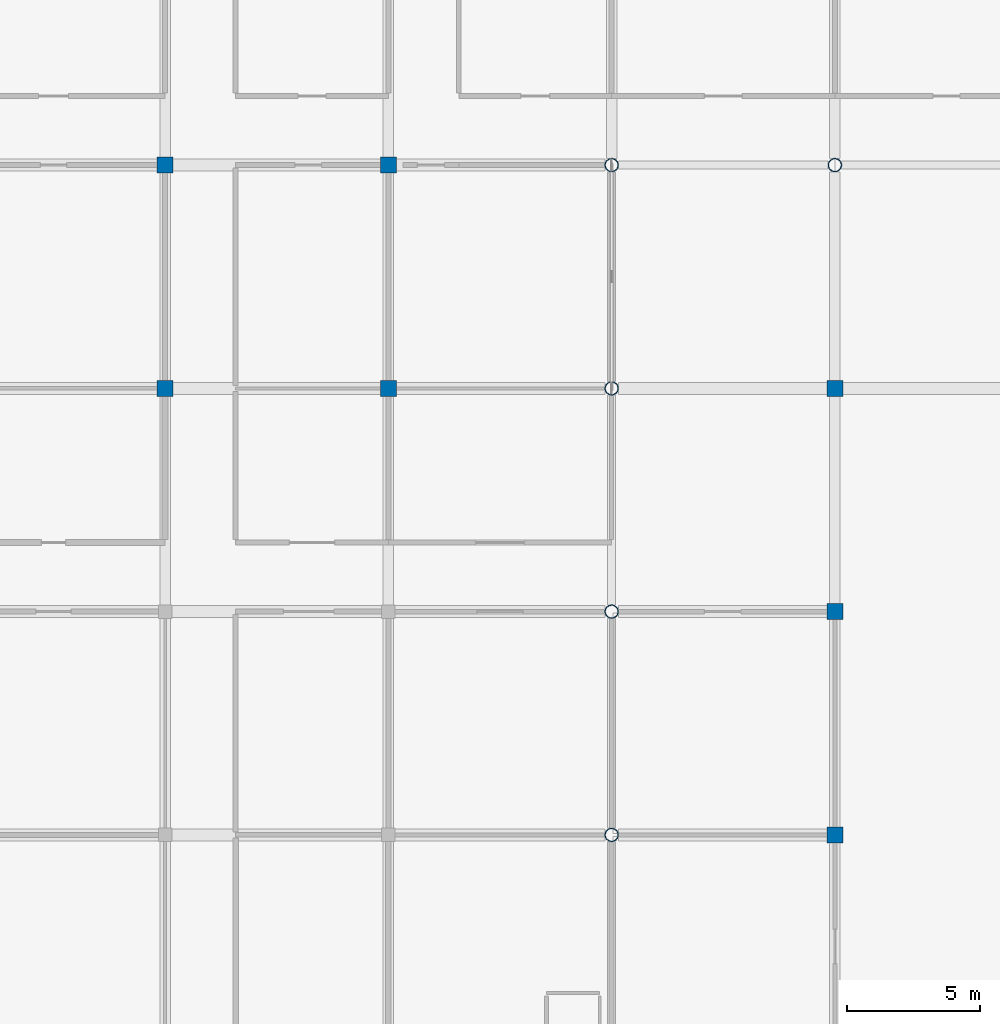
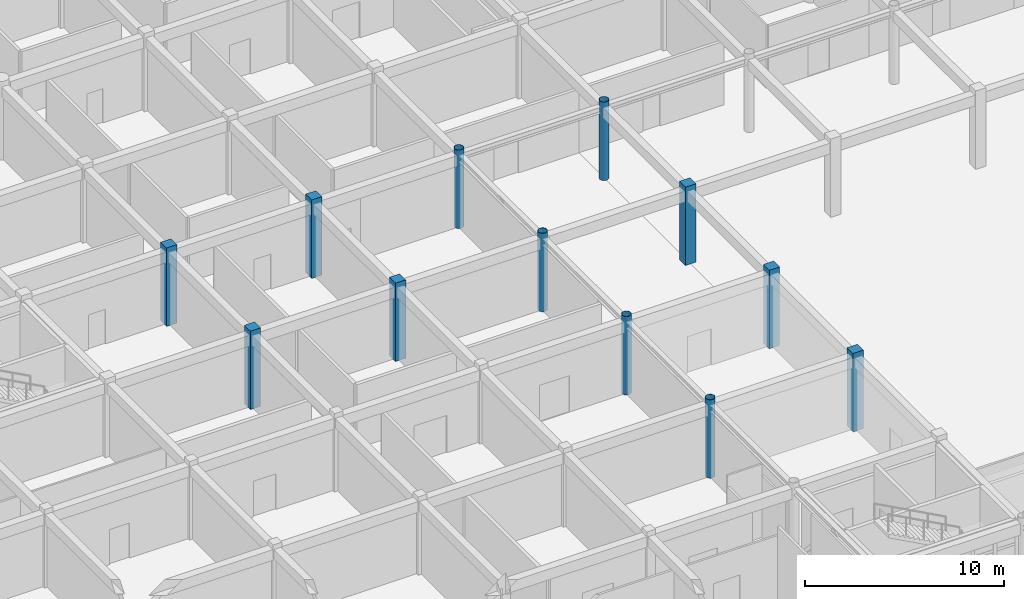
# One storey, part 4 of 138: 12 columns.
"""IFC4 building model written with IfcOpenShell, lengths in metres."""

from ifc_helpers import new_model, si_unit, direction, frame, origin, origin_2d, place, context, subcontext, project, spatial, rectangle, hollow_circle, extrude, material, material_profile, profile_set, type_object, element, save


model = new_model("IFC4")

# Units and contexts
model_context = context("Model", 3, precision=1e-05, world=origin(), true_north=direction((0.0, 1.0)))
body_context = subcontext(model_context, "Body", "Model", "MODEL_VIEW")
ifc_project = project(units=[si_unit("LENGTHUNIT", "METRE"), si_unit("AREAUNIT", "SQUARE_METRE"), si_unit("VOLUMEUNIT", "CUBIC_METRE"), si_unit("PLANEANGLEUNIT", "RADIAN"), si_unit("MASSUNIT", "GRAM", prefix="KILO")], contexts=[model_context])

# Site, building, storey
site_placement = place(None, origin())
site = spatial("IfcSite", under=ifc_project, at=site_placement, CompositionType="ELEMENT")
building_placement = place(site_placement, origin())
building = spatial("IfcBuilding", under=site, at=building_placement, Name="Bramfleet General Hospital", CompositionType="ELEMENT")
storey_placement = place(building_placement, origin())
storey = spatial("IfcBuildingStorey", under=building, at=storey_placement, Name="L00", CompositionType="ELEMENT", Elevation=0.0)

# Columns
ifc_material_1 = material(Name="Steel S355", Category="steel")
ifc_material_profile_1 = material_profile(ifc_material_1, hollow_circle(Radius=0.25390625, WallThickness=0.02001953125, at=origin_2d()), Name="CHS 508.0x20.0")
ifc_profile_set_1 = profile_set([ifc_material_profile_1], Name="Steel S355")
column_type_1 = type_object("IfcColumnType", Name="COL-CHS508", PredefinedType="COLUMN", material=ifc_profile_set_1)
for number, where, z_axis, x_axis, name in (
    (1, (50.39990234375, 33.60009765625, 0.0), (0.0, 0.0, 1.0), (1.0, 0.0, 0.0), "Column COL-L00-06-04"),
    (2, (50.39990234375, 42.0, 0.0), (0.0, 0.0, 1.0), (1.0, 0.0, 0.0), "Column COL-L00-06-05"),
    (3, (50.39990234375, 50.39990234375, 0.0), (0.0, 0.0, 1.0), (1.0, 0.0, 0.0), "Column COL-L00-06-06"),
    (4, (50.39990234375, 58.800048828125, 0.0), (0.0, 0.0, 1.0), (1.0, 0.0, 0.0), "Column COL-L00-06-07"),
    (5, (58.800048828125, 58.800048828125, 0.0), (0.0, 0.0, 1.0), (1.0, 0.0, 0.0), "Column COL-L00-07-07"),
):
    element("IfcColumn", number, at=place(storey_placement, frame(where, z_axis=z_axis, x_axis=x_axis)), inside=storey, type_object=column_type_1, Name=name, PredefinedType="COLUMN", context=body_context, shape_type="SweptSolid", body=[
        extrude(hollow_circle(Radius=0.25390625, WallThickness=0.02001953125, at=origin_2d()), origin(), (0.0, 0.0, 1.0), 4.800048828125),
    ])
ifc_material_2 = material(Name="Concrete C40/50", Category="concrete")
ifc_material_profile_2 = material_profile(ifc_material_2, rectangle(XDim=0.60009765625, YDim=0.60009765625, at=origin_2d()), Name="RC COL 600x600")
ifc_profile_set_2 = profile_set([ifc_material_profile_2], Name="Concrete C40/50")
column_type_2 = type_object("IfcColumnType", Name="COL-RC600", PredefinedType="COLUMN", material=ifc_profile_set_2)
for number, where, z_axis, x_axis, name in (
    (6, (33.60009765625, 50.39990234375, 0.0), (0.0, 0.0, 1.0), (1.0, 0.0, 0.0), "Column COL-L00-04-06"),
    (7, (33.60009765625, 58.800048828125, 0.0), (0.0, 0.0, 1.0), (1.0, 0.0, 0.0), "Column COL-L00-04-07"),
    (8, (42.0, 50.39990234375, 0.0), (0.0, 0.0, 1.0), (1.0, 0.0, 0.0), "Column COL-L00-05-06"),
    (9, (42.0, 58.800048828125, 0.0), (0.0, 0.0, 1.0), (1.0, 0.0, 0.0), "Column COL-L00-05-07"),
    (10, (58.800048828125, 33.60009765625, 0.0), (0.0, 0.0, 1.0), (1.0, 0.0, 0.0), "Column COL-L00-07-04"),
    (11, (58.800048828125, 42.0, 0.0), (0.0, 0.0, 1.0), (1.0, 0.0, 0.0), "Column COL-L00-07-05"),
    (12, (58.800048828125, 50.39990234375, 0.0), (0.0, 0.0, 1.0), (1.0, 0.0, 0.0), "Column COL-L00-07-06"),
):
    element("IfcColumn", number, at=place(storey_placement, frame(where, z_axis=z_axis, x_axis=x_axis)), inside=storey, type_object=column_type_2, Name=name, PredefinedType="COLUMN", context=body_context, shape_type="SweptSolid", body=[
        extrude(rectangle(XDim=0.60009765625, YDim=0.60009765625, at=origin_2d()), origin(), (0.0, 0.0, 1.0), 4.800048828125),
    ])

save(model, "model.ifc")
